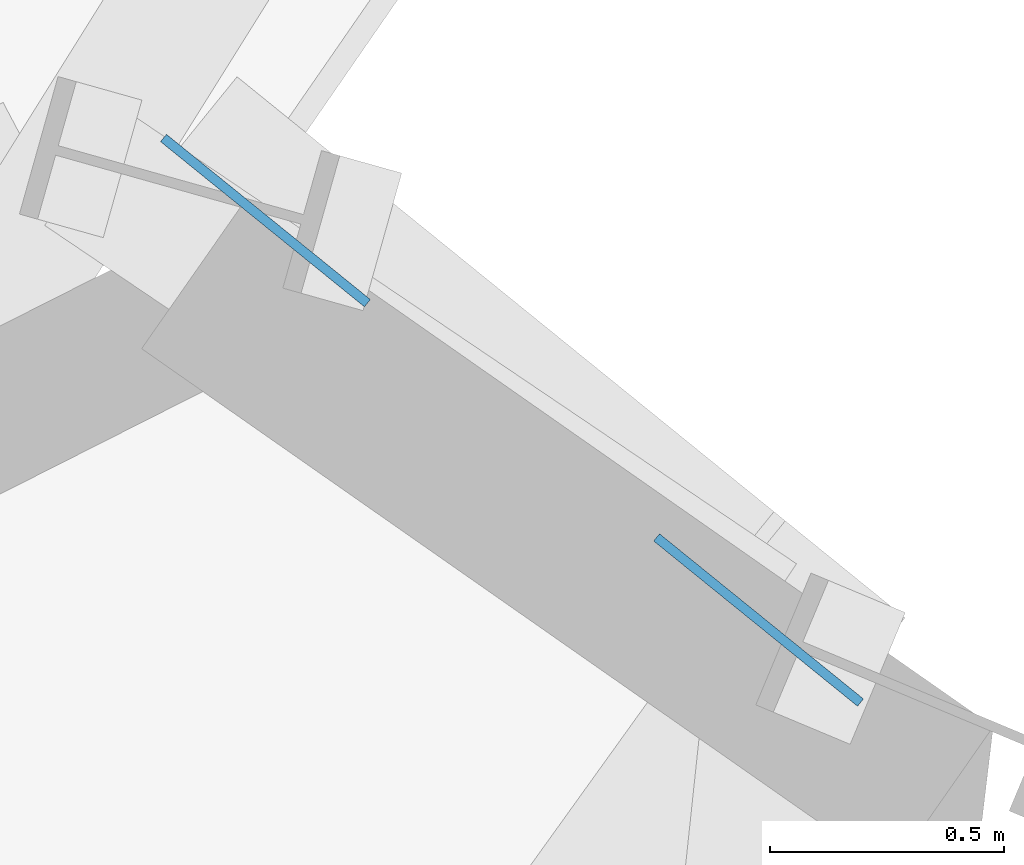
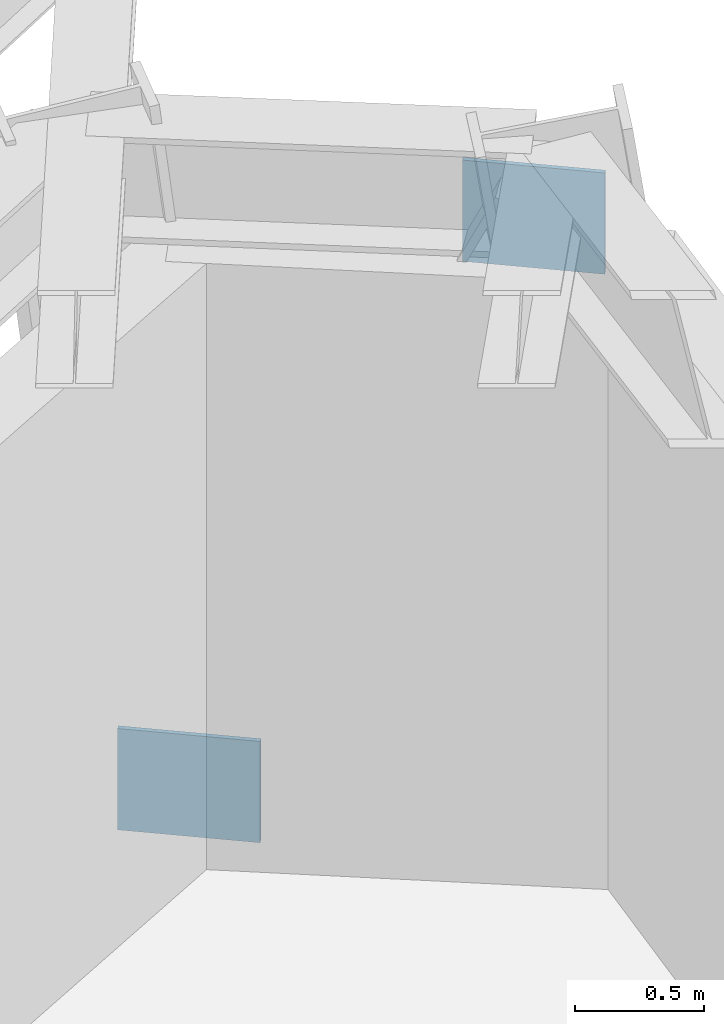
# One storey, part 8 of 14: 2 plates.
"""IFC4 building model written with IfcOpenShell, lengths in metres."""

from ifc_helpers import new_model, si_unit, direction, frame, origin, origin_2d, place, context, subcontext, project, spatial, rectangle, extrude, source, transform, mapped, material, type_object, element, save


model = new_model("IFC4")

# Units and contexts
model_context = context("Model", 3, precision=1e-05, world=origin(), true_north=direction((0.0, 1.0)))
body_context = subcontext(model_context, "Body", "Model", "MODEL_VIEW")
ifc_project = project(units=[si_unit("LENGTHUNIT", "METRE"), si_unit("AREAUNIT", "SQUARE_METRE"), si_unit("VOLUMEUNIT", "CUBIC_METRE"), si_unit("PLANEANGLEUNIT", "RADIAN"), si_unit("MASSUNIT", "GRAM", prefix="KILO")], contexts=[model_context])

# Site, building, storey
site_placement = place(None, origin())
site = spatial("IfcSite", under=ifc_project, at=site_placement, CompositionType="ELEMENT")
building_placement = place(site_placement, origin())
building = spatial("IfcBuilding", under=site, at=building_placement, Name="Olszyna Solenne Hotel", CompositionType="ELEMENT")
storey_placement = place(building_placement, frame((0.0, 0.0, 259.699951171875)))
storey = spatial("IfcBuildingStorey", under=building, at=storey_placement, Name="L69", CompositionType="ELEMENT", Elevation=259.699951171875)

# Plates
ifc_material = material(Name="Steel S355J2", Category="steel")
plate_type = type_object("IfcPlateType", Name="GP-ND2", PredefinedType="USERDEFINED", material=ifc_material)
shared_shape = source(origin(), body_context, "Body", "SweptSolid", [
    extrude(rectangle(XDim=0.56005859375, YDim=0.02001953125, at=origin_2d()), origin(), (0.0, 0.0, 1.0), 0.47998046875),
])
for number, where, z_axis, x_axis, name in (
    (1, (52.985107421875, 49.886962890625, -0.103515625), (0.0, 0.0, 1.0), (0.777036112492, -0.629456019022, 0.0), "Brace end connection gusset plate GP-ND2 EP-BR-L69-1-1"),
    (2, (54.03759765625, 49.034423828125, 2.73876953125), (0.0, 0.0, 1.0), (0.777036112492, -0.629456019022, 0.0), "Brace end connection gusset plate GP-ND2 EP-BR-L69-1-2"),
):
    element("IfcPlate", number, at=place(storey_placement, frame(where, z_axis=z_axis, x_axis=x_axis)), inside=storey, type_object=plate_type, Name=name, ObjectType="GUSSET_PLATE", PredefinedType="USERDEFINED", context=body_context, shape_type="MappedRepresentation", body=[
        mapped(shared_shape, transform((0.0, 0.0, 0.0), x_axis=(1.0, 0.0, 0.0), y_axis=(0.0, 1.0, 0.0), z_axis=(0.0, 0.0, 1.0), scale=1.0)),
    ])

save(model, "model.ifc")
